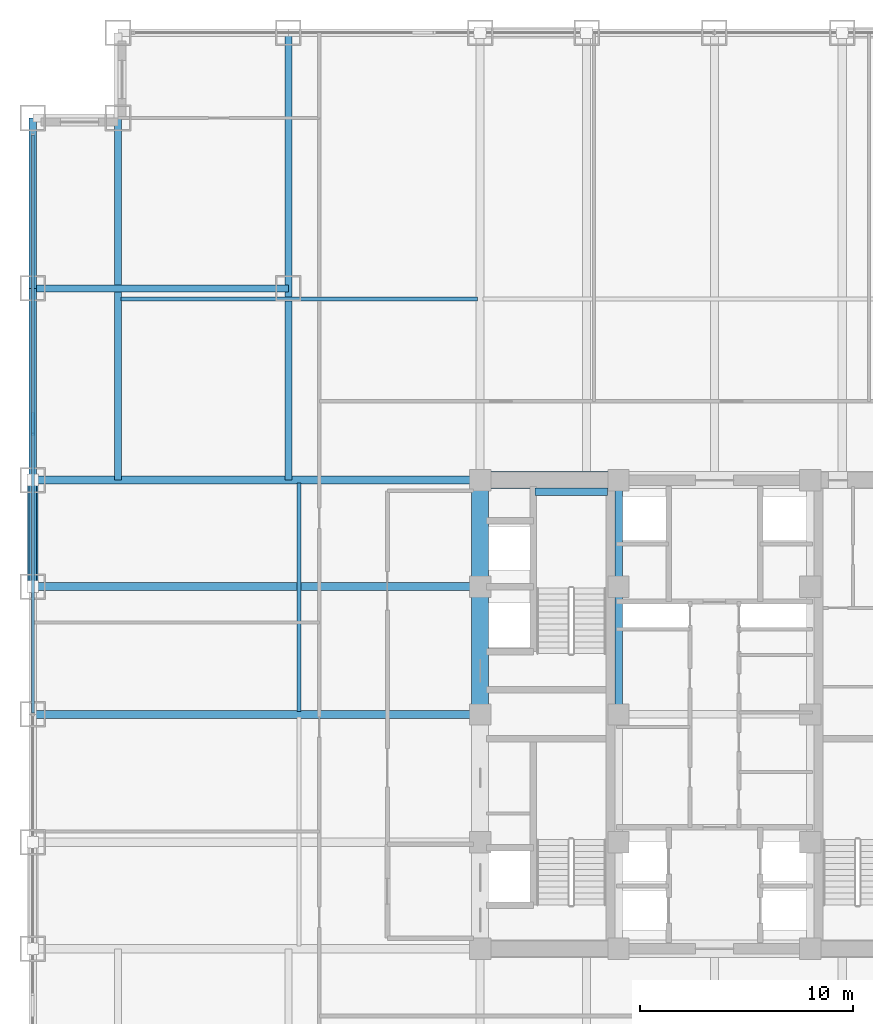
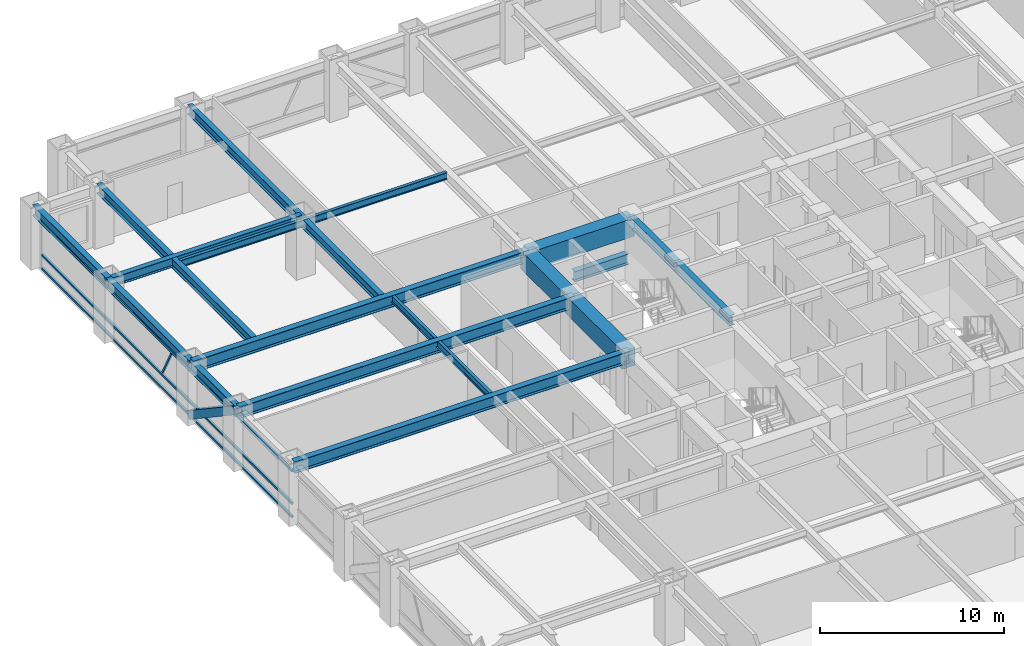
# One storey, part 9 of 28: 17 beams, 5 members, 1 element without a shape of its own.
"""IFC4 building model written with IfcOpenShell, lengths in metres."""

import ifcopenshell
import ifcopenshell.guid

model = None  # the IFC model being written
_history = None  # IfcOwnerHistory: only IFC2X3 demands one
_inside = {}  # id of a spatial element -> (the spatial element, [elements in it])
_under = {}  # id of a project, library or spatial element -> (it, [spatial elements below it])
_declared = {}  # id of a project -> (the project, [libraries it declares])
_typed = {}  # id of a type object -> (the type object, [elements of that type])
_made_of = {}  # id of a material, layer set ... -> (it, [elements and type objects made of it])


def new_model(schema):
    """Start an empty IFC model of exactly this schema.

    Asked for "IFC4X3", IfcOpenShell would pick the latest addendum, in which some entities
    have other attributes; the version numbers below select the first issue.
    IFC2X3 requires an IfcOwnerHistory on every rooted entity: one is made here for all.
    """
    global model, _history
    if schema == "IFC4X3":
        model = ifcopenshell.file(schema_version=(4, 3, 0, 0))
    else:
        model = ifcopenshell.file(schema=schema)
    _inside.clear()
    _under.clear()
    _declared.clear()
    _typed.clear()
    _made_of.clear()
    _history = None
    if model.schema == "IFC2X3":
        org = make("IfcOrganization", Name="unknown")
        user = make(
            "IfcPersonAndOrganization",
            ThePerson=make("IfcPerson", FamilyName="unknown"),
            TheOrganization=org,
        )
        app = make(
            "IfcApplication",
            ApplicationDeveloper=org,
            Version="unknown",
            ApplicationFullName="unknown",
            ApplicationIdentifier="unknown",
        )
        _history = make(
            "IfcOwnerHistory",
            OwningUser=user,
            OwningApplication=app,
            ChangeAction="ADDED",
            CreationDate=0,
        )
    return model


def make(cls, **values):
    """One entity of the class cls with the attributes given. An attribute that is None is left unset."""
    return model.create_entity(
        cls, **{name: value for name, value in values.items() if value is not None}
    )


def rooted(cls, **values):
    """An entity with a GlobalId (a new one), such as an element, a storey or a relation."""
    return make(cls, GlobalId=ifcopenshell.guid.new(), OwnerHistory=_history, **values)


def si_unit(unit_type, name, prefix=None):
    """IfcSIUnit, for example si_unit("LENGTHUNIT", "METRE", prefix="MILLI")."""
    return make("IfcSIUnit", UnitType=unit_type, Prefix=prefix, Name=name)


def assignment(units):
    """IfcUnitAssignment: the units of a project."""
    return None if units is None else make("IfcUnitAssignment", Units=units)


def point(xyz):
    """IfcCartesianPoint."""
    return None if xyz is None else make("IfcCartesianPoint", Coordinates=xyz)


def direction(xyz):
    """IfcDirection."""
    return None if xyz is None else make("IfcDirection", DirectionRatios=xyz)


def frame(location, z_axis=None, x_axis=None):
    """IfcAxis2Placement3D, a coordinate frame: its origin and axes. An axis left out is left unset."""
    return make(
        "IfcAxis2Placement3D",
        Location=point(location),
        Axis=direction(z_axis),
        RefDirection=direction(x_axis),
    )


def frame_2d(location, x_axis=None):
    """IfcAxis2Placement2D, a coordinate frame in the plane: its origin and x axis."""
    return make(
        "IfcAxis2Placement2D", Location=point(location), RefDirection=direction(x_axis)
    )


def origin():
    """The frame at (0, 0, 0) with its axes left unset."""
    return frame((0.0, 0.0, 0.0))


def origin_2d():
    """The frame at (0, 0) in the plane with its x axis left unset."""
    return frame_2d((0.0, 0.0))


def place(relative_to, where):
    """IfcLocalPlacement: puts the frame where relative to a parent placement (None: the world)."""
    return make(
        "IfcLocalPlacement", PlacementRelTo=relative_to, RelativePlacement=where
    )


def context(
    kind, dimensions, precision=None, world=None, true_north=None, identifier=None
):
    """IfcGeometricRepresentationContext, for example the 3D "Model" context."""
    return make(
        "IfcGeometricRepresentationContext",
        ContextIdentifier=identifier,
        ContextType=kind,
        CoordinateSpaceDimension=dimensions,
        Precision=precision,
        WorldCoordinateSystem=world,
        TrueNorth=true_north,
    )


def subcontext(parent, identifier, kind, view, scale=None):
    """IfcGeometricRepresentationSubContext, for example "Body" below "Model"."""
    return make(
        "IfcGeometricRepresentationSubContext",
        ContextIdentifier=identifier,
        ContextType=kind,
        ParentContext=parent,
        TargetScale=scale,
        TargetView=view,
    )


def project(units=None, contexts=None):
    """IfcProject with its units and contexts."""
    return rooted(
        "IfcProject",
        Name="project",
        RepresentationContexts=contexts,
        UnitsInContext=assignment(units),
    )


def spatial(cls, under=None, at=None, **own):
    """A site, building, storey or space (cls), placed at a placement, below another one or the project."""
    s = rooted(cls, ObjectPlacement=at, **own)
    if under is not None:
        _under.setdefault(under.id(), (under, []))[1].append(s)
    return s


def profile(cls, at=None, kind="AREA", **sizes):
    """A parametric profile (cls). Its sizes go by their IFC names, for example OverallWidth=200.0."""
    return make(cls, ProfileType=kind, Position=at, **sizes)


def rectangle(**sizes):
    """IfcRectangleProfileDef."""
    return profile("IfcRectangleProfileDef", **sizes)


def hollow_rectangle(**sizes):
    """IfcRectangleHollowProfileDef."""
    return profile("IfcRectangleHollowProfileDef", **sizes)


def i_section(**sizes):
    """IfcIShapeProfileDef."""
    return profile("IfcIShapeProfileDef", **sizes)


def extrude(swept, where, along, depth):
    """IfcExtrudedAreaSolid: the profile swept, set in the frame where, extruded along a direction by depth."""
    return make(
        "IfcExtrudedAreaSolid",
        SweptArea=swept,
        Position=where,
        ExtrudedDirection=direction(along),
        Depth=depth,
    )


def shape(context_of_items, identifier, shape_type, items):
    """IfcShapeRepresentation: the items that make up one representation, for example the "Body"."""
    return make(
        "IfcShapeRepresentation",
        ContextOfItems=context_of_items,
        RepresentationIdentifier=identifier,
        RepresentationType=shape_type,
        Items=items,
    )


def source(mapping_origin, context_of_items, identifier, shape_type, items):
    """IfcRepresentationMap: a shape defined once, which mapped items show again and again."""
    return make(
        "IfcRepresentationMap",
        MappingOrigin=mapping_origin,
        MappedRepresentation=shape(context_of_items, identifier, shape_type, items),
    )


def transform(
    local_origin,
    x_axis=None,
    y_axis=None,
    z_axis=None,
    scale=None,
    scale2=None,
    scale3=None,
    uniform=True,
):
    """IfcCartesianTransformationOperator3D, or its non-uniform kind. x_axis, y_axis, z_axis: its Axis1, 2, 3."""
    if uniform:
        return make(
            "IfcCartesianTransformationOperator3D",
            Axis1=direction(x_axis),
            Axis2=direction(y_axis),
            LocalOrigin=point(local_origin),
            Scale=scale,
            Axis3=direction(z_axis),
        )
    return make(
        "IfcCartesianTransformationOperator3DnonUniform",
        Axis1=direction(x_axis),
        Axis2=direction(y_axis),
        LocalOrigin=point(local_origin),
        Scale=scale,
        Axis3=direction(z_axis),
        Scale2=scale2,
        Scale3=scale3,
    )


def mapped(mapping_source, mapping_target):
    """IfcMappedItem: shows the shape of a source again, moved by a transform."""
    return make(
        "IfcMappedItem", MappingSource=mapping_source, MappingTarget=mapping_target
    )


def material(Name=None, Category=None):
    """IfcMaterial."""
    return make("IfcMaterial", Name=Name, Category=Category)


def material_profile(
    of_material, cross_section, Name=None, Category=None, Priority=None
):
    """IfcMaterialProfile: a cross section and its material."""
    return make(
        "IfcMaterialProfile",
        Name=Name,
        Material=of_material,
        Profile=cross_section,
        Priority=Priority,
        Category=Category,
    )


def profile_set(profiles, Name=None, composite=None):
    """IfcMaterialProfileSet."""
    return make(
        "IfcMaterialProfileSet",
        Name=Name,
        MaterialProfiles=profiles,
        CompositeProfile=composite,
    )


def made_of(thing, what):
    """Note that an element or type object is made of a material, layer set ...; save() writes the relation."""
    if what is not None:
        _made_of.setdefault(what.id(), (what, []))[1].append(thing)
    return thing


def type_object(cls, material=None, **own):
    """A type object (cls), such as IfcWallType, which elements share."""
    return made_of(rooted(cls, **own), material)


def element(
    cls,
    number,
    at=None,
    inside=None,
    cuts=None,
    type_object=None,
    material=None,
    context=None,
    identifier="Body",
    shape_type=None,
    held_by="IfcProductDefinitionShape",
    body=None,
    shapes=None,
    **own,
):
    """One element of the class cls, such as IfcWall. Its Tag is "e" and its number.

    at: its placement. inside: the storey or other place that contains it. cuts: it is an
    opening in that element (IfcRelVoidsElement). A single representation is given by context,
    identifier, shape_type and body (its items); several are given by shapes. held_by: the class
    of the entity that holds the representations. save() writes the other relations.
    """
    e = rooted(cls, Tag="e%d" % number, ObjectPlacement=at, **own)
    if body is not None:
        shapes = [shape(context, identifier, shape_type, body)]
    if shapes is not None:
        e.Representation = make(held_by, Representations=shapes)
    if inside is not None:
        _inside.setdefault(inside.id(), (inside, []))[1].append(e)
    if cuts is not None:
        rooted(
            "IfcRelVoidsElement", RelatingBuildingElement=cuts, RelatedOpeningElement=e
        )
    if type_object is not None:
        _typed.setdefault(type_object.id(), (type_object, []))[1].append(e)
    return made_of(e, material)


def aggregate(whole, parts):
    """IfcRelAggregates: a whole, such as a stair, and the parts it consists of."""
    return rooted("IfcRelAggregates", RelatingObject=whole, RelatedObjects=parts)


def save(model, path):
    """Write the relations noted so far, then the file.

    IfcRelAggregates (storeys below a building ...), IfcRelContainedInSpatialStructure (elements
    in a storey), IfcRelDefinesByType, IfcRelAssociatesMaterial and IfcRelDeclares: one each for
    every whole, place, type object, material and project.
    """
    for whole, parts in _under.values():
        aggregate(whole, parts)
    for where, things in _inside.values():
        rooted(
            "IfcRelContainedInSpatialStructure",
            RelatedElements=things,
            RelatingStructure=where,
        )
    for kind, things in _typed.values():
        rooted("IfcRelDefinesByType", RelatedObjects=things, RelatingType=kind)
    for what, things in _made_of.values():
        rooted("IfcRelAssociatesMaterial", RelatedObjects=things, RelatingMaterial=what)
    for by, libraries in _declared.values():
        rooted("IfcRelDeclares", RelatingContext=by, RelatedDefinitions=libraries)
    model.write(path)


model = new_model("IFC4")

# Units and contexts
model_context = context("Model", 3, precision=1e-05, world=origin(), true_north=direction((0.0, 1.0)))
body_context = subcontext(model_context, "Body", "Model", "MODEL_VIEW")
ifc_project = project(units=[si_unit("LENGTHUNIT", "METRE"), si_unit("AREAUNIT", "SQUARE_METRE"), si_unit("VOLUMEUNIT", "CUBIC_METRE"), si_unit("PLANEANGLEUNIT", "RADIAN"), si_unit("MASSUNIT", "GRAM", prefix="KILO")], contexts=[model_context])

# Site, building, storey
site_placement = place(None, origin())
site = spatial("IfcSite", under=ifc_project, at=site_placement, CompositionType="ELEMENT")
building_placement = place(site_placement, origin())
building = spatial("IfcBuilding", under=site, at=building_placement, Name="Khorayat Bourse Tower", CompositionType="ELEMENT")
storey_placement = place(building_placement, frame((0.0, 0.0, 124.199951171875)))
storey = spatial("IfcBuildingStorey", under=building, at=storey_placement, Name="L28", CompositionType="ELEMENT", Elevation=124.199951171875)

# Beams
ifc_material_1 = material(Name="Concrete C72/90", Category="concrete")
ifc_material_profile_1 = material_profile(ifc_material_1, rectangle(XDim=0.800048828125, YDim=1.199951171875, at=origin_2d()), Name="RC 800x1200")
ifc_profile_set_1 = profile_set([ifc_material_profile_1], Name="Concrete C72/90")
beam_type_1 = type_object("IfcBeamType", Name="BM-COUP-1200", PredefinedType="BEAM", material=ifc_profile_set_1)
shared_shape_1 = source(origin(), body_context, "Body", "SweptSolid", [
    extrude(rectangle(XDim=0.800048828125, YDim=1.199951171875, at=origin_2d()), origin(), (0.0, 0.0, 1.0), 5.0),
])
beam_1_placement = place(storey_placement, frame((-11.0, 6.0, 3.239990234375), z_axis=(0.0, 1.0, 0.0), x_axis=(-1.0, 0.0, 0.0)))
element("IfcBeam", 1, at=beam_1_placement, inside=storey, type_object=beam_type_1, Name="L28 BM-COUP-1200 BM-L28-CRX-04", PredefinedType="BEAM", context=body_context, shape_type="MappedRepresentation", body=[
    mapped(shared_shape_1, transform((0.0, 0.0, 0.0), scale=1.0)),
])
shared_shape_2 = source(origin(), body_context, "Body", "SweptSolid", [
    extrude(rectangle(XDim=0.800048828125, YDim=1.199951171875, at=origin_2d()), origin(), (0.0, 0.0, 1.0), 6.0),
])
beam_2_placement = place(storey_placement, frame((-11.0, 0.0, 3.239990234375), z_axis=(0.0, 1.0, 0.0), x_axis=(-1.0, 0.0, 0.0)))
element("IfcBeam", 2, at=beam_2_placement, inside=storey, type_object=beam_type_1, Name="L28 BM-COUP-1200 BM-L28-CRX-03", PredefinedType="BEAM", context=body_context, shape_type="MappedRepresentation", body=[
    mapped(shared_shape_2, transform((0.0, 0.0, 0.0), scale=1.0)),
])
ifc_material_2 = material(Name="Steel ASTM A992 Grade 50", Category="steel")
ifc_material_profile_2 = material_profile(ifc_material_2, i_section(OverallWidth=0.35498046875, OverallDepth=0.695068359375, WebThickness=0.015380859375, FlangeThickness=0.02490234375, FilletRadius=0.01806640625, at=origin_2d()), Name="W690X217")
ifc_profile_set_2 = profile_set([ifc_material_profile_2], Name="Steel ASTM A992 Grade 50")
beam_type_2 = type_object("IfcBeamType", Name="BM-GIRD-690", PredefinedType="BEAM", material=ifc_profile_set_2)
shared_shape_3 = source(origin(), body_context, "Body", "SweptSolid", [
    extrude(i_section(OverallWidth=0.35498046875, OverallDepth=0.695068359375, WebThickness=0.015380859375, FlangeThickness=0.02490234375, FilletRadius=0.01806640625, at=origin_2d()), origin(), (0.0, 0.0, 1.0), 5.0),
])
beam_3_placement = place(storey_placement, frame((-4.5, 6.0, 3.492431640625), z_axis=(0.0, 1.0, 0.0), x_axis=(-1.0, 0.0, 0.0)))
element("IfcBeam", 3, at=beam_3_placement, inside=storey, type_object=beam_type_2, Name="L28 BM-GIRD-690 BM-L28-CRX-08", PredefinedType="BEAM", context=body_context, shape_type="MappedRepresentation", body=[
    mapped(shared_shape_3, transform((0.0, 0.0, 0.0), scale=1.0)),
])
shared_shape_4 = source(origin(), body_context, "Body", "SweptSolid", [
    extrude(i_section(OverallWidth=0.35498046875, OverallDepth=0.695068359375, WebThickness=0.015380859375, FlangeThickness=0.02490234375, FilletRadius=0.01806640625, at=origin_2d()), origin(), (0.0, 0.0, 1.0), 6.0),
])
beam_4_placement = place(storey_placement, frame((-4.5, 0.0, 3.492431640625), z_axis=(0.0, 1.0, 0.0), x_axis=(-1.0, 0.0, 0.0)))
element("IfcBeam", 4, at=beam_4_placement, inside=storey, type_object=beam_type_2, Name="L28 BM-GIRD-690 BM-L28-CRX-07", PredefinedType="BEAM", context=body_context, shape_type="MappedRepresentation", body=[
    mapped(shared_shape_4, transform((0.0, 0.0, 0.0), scale=1.0)),
])
shared_shape_5 = source(origin(), body_context, "Body", "SweptSolid", [
    extrude(rectangle(XDim=0.800048828125, YDim=1.199951171875, at=origin_2d()), origin(), (0.0, 0.0, 1.0), 6.5),
])
beam_5_placement = place(storey_placement, frame((-11.0, 11.0, 3.239990234375), z_axis=(1.0, 0.0, 0.0), x_axis=(0.0, 1.0, 0.0)))
element("IfcBeam", 5, at=beam_5_placement, inside=storey, type_object=beam_type_1, Name="L28 BM-COUP-1200 BM-L28-CRY-20", PredefinedType="BEAM", context=body_context, shape_type="MappedRepresentation", body=[
    mapped(shared_shape_5, transform((0.0, 0.0, 0.0), scale=1.0)),
])
shared_shape_6 = source(origin(), body_context, "Body", "SweptSolid", [
    extrude(i_section(OverallWidth=0.35498046875, OverallDepth=0.695068359375, WebThickness=0.015380859375, FlangeThickness=0.02490234375, FilletRadius=0.01806640625, at=origin_2d()), origin(), (0.0, 0.0, 1.0), 3.39990234375),
])
beam_6_placement = place(storey_placement, frame((-8.419921875, 10.449951171875, 1.50244140625), z_axis=(1.0, 0.0, 0.0), x_axis=(0.0, 1.0, 0.0)))
element("IfcBeam", 6, at=beam_6_placement, inside=storey, type_object=beam_type_2, Name="L28 BM-GIRD-690 BM-L28-ST2L", PredefinedType="BEAM", context=body_context, shape_type="MappedRepresentation", body=[
    mapped(shared_shape_6, transform((0.0, 0.0, 0.0), scale=1.0)),
])
ifc_material_profile_3 = material_profile(ifc_material_2, i_section(OverallWidth=0.35498046875, OverallDepth=0.695068359375, WebThickness=0.015380859375, FlangeThickness=0.02490234375, FilletRadius=0.01806640625, at=origin_2d()), Name="W690X217")
ifc_profile_set_3 = profile_set([ifc_material_profile_3], Name="Steel ASTM A992 Grade 50")
beam_type_3 = type_object("IfcBeamType", Name="BM-SPAN-690", PredefinedType="SPANDREL", material=ifc_profile_set_3)
shared_shape_7 = source(origin(), body_context, "Body", "SweptSolid", [
    extrude(i_section(OverallWidth=0.35498046875, OverallDepth=0.695068359375, WebThickness=0.015380859375, FlangeThickness=0.02490234375, FilletRadius=0.01806640625, at=origin_2d()), origin(), (0.0, 0.0, 1.0), 9.0),
])
beam_7_placement = place(storey_placement, frame((-32.0, 11.0, 3.492431640625), z_axis=(0.0, 1.0, 0.0), x_axis=(-1.0, 0.0, 0.0)))
element("IfcBeam", 7, at=beam_7_placement, inside=storey, type_object=beam_type_3, Name="L28 BM-SPAN-690 BM-L28-SPN-055", PredefinedType="SPANDREL", context=body_context, shape_type="MappedRepresentation", body=[
    mapped(shared_shape_7, transform((0.0, 0.0, 0.0), scale=1.0)),
])
shared_shape_8 = source(origin(), body_context, "Body", "SweptSolid", [
    extrude(i_section(OverallWidth=0.35498046875, OverallDepth=0.695068359375, WebThickness=0.015380859375, FlangeThickness=0.02490234375, FilletRadius=0.01806640625, at=origin_2d()), origin(), (0.0, 0.0, 1.0), 5.0),
])
beam_8_placement = place(storey_placement, frame((-32.0, 6.0, 3.492431640625), z_axis=(0.0, 1.0, 0.0), x_axis=(-1.0, 0.0, 0.0)))
element("IfcBeam", 8, at=beam_8_placement, inside=storey, type_object=beam_type_3, Name="L28 BM-SPAN-690 BM-L28-SPN-056", PredefinedType="SPANDREL", context=body_context, shape_type="MappedRepresentation", body=[
    mapped(shared_shape_8, transform((0.0, 0.0, 0.0), scale=1.0)),
])
ifc_material_profile_4 = material_profile(ifc_material_2, i_section(OverallWidth=0.324951171875, OverallDepth=0.615966796875, WebThickness=0.013916015625, FlangeThickness=0.021484375, FilletRadius=0.01611328125, at=origin_2d()), Name="W610X174")
ifc_profile_set_4 = profile_set([ifc_material_profile_4], Name="Steel ASTM A992 Grade 50")
beam_type_4 = type_object("IfcBeamType", Name="BM-GIRD-610", PredefinedType="BEAM", material=ifc_profile_set_4)
shared_shape_9 = source(origin(), body_context, "Body", "SweptSolid", [
    extrude(i_section(OverallWidth=0.324951171875, OverallDepth=0.615966796875, WebThickness=0.013916015625, FlangeThickness=0.021484375, FilletRadius=0.01611328125, at=origin_2d()), origin(), (0.0, 0.0, 1.0), 21.0),
])
beam_9_placement = place(storey_placement, frame((-20.0, 11.0, 3.531982421875), z_axis=(0.0, 1.0, 0.0), x_axis=(-1.0, 0.0, 0.0)))
element("IfcBeam", 9, at=beam_9_placement, inside=storey, type_object=beam_type_4, Name="L28 BM-GIRD-610 BM-L28-CNRY-085", PredefinedType="BEAM", context=body_context, shape_type="MappedRepresentation", body=[
    mapped(shared_shape_9, transform((0.0, 0.0, 0.0), scale=1.0)),
])
shared_shape_10 = source(origin(), body_context, "Body", "SweptSolid", [
    extrude(i_section(OverallWidth=0.324951171875, OverallDepth=0.615966796875, WebThickness=0.013916015625, FlangeThickness=0.021484375, FilletRadius=0.01611328125, at=origin_2d()), origin(), (0.0, 0.0, 1.0), 12.0),
])
beam_10_placement = place(storey_placement, frame((-32.0, 20.0, 3.531982421875), z_axis=(1.0, 0.0, 0.0), x_axis=(0.0, 1.0, 0.0)))
element("IfcBeam", 10, at=beam_10_placement, inside=storey, type_object=beam_type_4, Name="L28 BM-GIRD-610 BM-L28-CNRX-095", PredefinedType="BEAM", context=body_context, shape_type="MappedRepresentation", body=[
    mapped(shared_shape_10, transform((0.0, 0.0, 0.0), scale=1.0)),
])
ifc_material_profile_5 = material_profile(ifc_material_2, i_section(OverallWidth=0.194091796875, OverallDepth=0.468994140625, WebThickness=0.0126953125, FlangeThickness=0.0205078125, FilletRadius=0.012939453125, at=origin_2d()), Name="W460X106")
ifc_profile_set_5 = profile_set([ifc_material_profile_5], Name="Steel ASTM A992 Grade 50")
beam_type_5 = type_object("IfcBeamType", Name="BM-JOIST-460", PredefinedType="JOIST", material=ifc_profile_set_5)
shared_shape_11 = source(origin(), body_context, "Body", "SweptSolid", [
    extrude(i_section(OverallWidth=0.194091796875, OverallDepth=0.468994140625, WebThickness=0.0126953125, FlangeThickness=0.0205078125, FilletRadius=0.012939453125, at=origin_2d()), origin(), (0.0, 0.0, 1.0), 10.740234375),
])
beam_11_placement = place(storey_placement, frame((-19.5, 0.1298828125, 3.60546875), z_axis=(0.0, 1.0, 0.0), x_axis=(-1.0, 0.0, 0.0)))
element("IfcBeam", 11, at=beam_11_placement, inside=storey, type_object=beam_type_5, Name="L28 BM-JOIST-460 BM-L28-JSTY-103", PredefinedType="JOIST", context=body_context, shape_type="MappedRepresentation", body=[
    mapped(shared_shape_11, transform((0.0, 0.0, 0.0), scale=1.0)),
])
shared_shape_12 = source(origin(), body_context, "Body", "SweptSolid", [
    extrude(i_section(OverallWidth=0.35498046875, OverallDepth=0.695068359375, WebThickness=0.015380859375, FlangeThickness=0.02490234375, FilletRadius=0.01806640625, at=origin_2d()), origin(), (0.0, 0.0, 1.0), 8.0),
])
beam_12_placement = place(storey_placement, frame((-32.0, 20.0, 3.492431640625), z_axis=(0.0, 1.0, 0.0), x_axis=(-1.0, 0.0, 0.0)))
element("IfcBeam", 12, at=beam_12_placement, inside=storey, type_object=beam_type_3, Name="L28 BM-SPAN-690 BM-L28-SPN-054", PredefinedType="SPANDREL", context=body_context, shape_type="MappedRepresentation", body=[
    mapped(shared_shape_12, transform((0.0, 0.0, 0.0), scale=1.0)),
])
ifc_material_profile_6 = material_profile(ifc_material_2, i_section(OverallWidth=0.381103515625, OverallDepth=0.77294921875, WebThickness=0.0166015625, FlangeThickness=0.027587890625, FilletRadius=0.01806640625, at=origin_2d()), Name="W760X257")
ifc_profile_set_6 = profile_set([ifc_material_profile_6], Name="Steel ASTM A992 Grade 50")
beam_type_6 = type_object("IfcBeamType", Name="BM-GIRD-760", PredefinedType="BEAM", material=ifc_profile_set_6)
shared_shape_13 = source(origin(), body_context, "Body", "SweptSolid", [
    extrude(i_section(OverallWidth=0.381103515625, OverallDepth=0.77294921875, WebThickness=0.0166015625, FlangeThickness=0.027587890625, FilletRadius=0.01806640625, at=origin_2d()), origin(), (0.0, 0.0, 1.0), 21.0),
])
for number, where, z_axis, x_axis, name in (
    (13, (-32.0, 0.0, 3.45361328125), (1.0, 0.0, 0.0), (0.0, 1.0, 0.0), "L28 BM-GIRD-760 BM-L28-RADX-079"),
    (14, (-32.0, 6.0, 3.45361328125), (1.0, 0.0, 0.0), (0.0, 1.0, 0.0), "L28 BM-GIRD-760 BM-L28-RADX-081"),
    (15, (-32.0, 11.0, 3.45361328125), (1.0, 0.0, 0.0), (0.0, 1.0, 0.0), "L28 BM-GIRD-760 BM-L28-RADX-083"),
):
    element("IfcBeam", number, at=place(storey_placement, frame(where, z_axis=z_axis, x_axis=x_axis)), inside=storey, type_object=beam_type_6, Name=name, PredefinedType="BEAM", context=body_context, shape_type="MappedRepresentation", body=[
        mapped(shared_shape_13, transform((0.0, 0.0, 0.0), scale=1.0)),
    ])
shared_shape_14 = source(origin(), body_context, "Body", "SweptSolid", [
    extrude(i_section(OverallWidth=0.324951171875, OverallDepth=0.615966796875, WebThickness=0.013916015625, FlangeThickness=0.021484375, FilletRadius=0.01611328125, at=origin_2d()), origin(), (0.0, 0.0, 1.0), 17.0),
])
beam_13_placement = place(storey_placement, frame((-28.0, 11.0, 3.531982421875), z_axis=(0.0, 1.0, 0.0), x_axis=(-1.0, 0.0, 0.0)))
element("IfcBeam", 16, at=beam_13_placement, inside=storey, type_object=beam_type_4, Name="L28 BM-GIRD-610 BM-L28-CNRY-089", PredefinedType="BEAM", context=body_context, shape_type="MappedRepresentation", body=[
    mapped(shared_shape_14, transform((0.0, 0.0, 0.0), scale=1.0)),
])
shared_shape_15 = source(origin(), body_context, "Body", "SweptSolid", [
    extrude(i_section(OverallWidth=0.194091796875, OverallDepth=0.468994140625, WebThickness=0.0126953125, FlangeThickness=0.0205078125, FilletRadius=0.012939453125, at=origin_2d()), origin(), (0.0, 0.0, 1.0), 16.740234375),
])
beam_14_placement = place(storey_placement, frame((-27.8701171875, 19.5, 3.60546875), z_axis=(1.0, 0.0, 0.0), x_axis=(0.0, 1.0, 0.0)))
element("IfcBeam", 17, at=beam_14_placement, inside=storey, type_object=beam_type_5, Name="L28 BM-JOIST-460 BM-L28-JSTX-099", PredefinedType="JOIST", context=body_context, shape_type="MappedRepresentation", body=[
    mapped(shared_shape_15, transform((0.0, 0.0, 0.0), scale=1.0)),
])

# Member
ifc_material_3 = material(Name="Steel EN 10025-4 S460M", Category="steel")
ifc_material_profile_7 = material_profile(ifc_material_3, hollow_rectangle(XDim=0.5, YDim=0.5, WallThickness=0.028076171875, at=origin_2d()), Name="HSS 500x500x28")
ifc_profile_set_7 = profile_set([ifc_material_profile_7], Name="Steel EN 10025-4 S460M")
member_type_1 = type_object("IfcMemberType", Name="MBR-TUBE-500", PredefinedType="BRACE", material=ifc_profile_set_7)
shared_shape_16 = source(origin(), body_context, "Body", "SweptSolid", [
    extrude(hollow_rectangle(XDim=0.5, YDim=0.5, WallThickness=0.028076171875, at=origin_2d()), origin(), (0.0, 0.0, 1.0), 6.012939453125),
])
member_1_placement = place(storey_placement, frame((-32.0, 6.0, 3.590087890625), z_axis=(0.0, 0.831531473026, -0.555477640745), x_axis=(-1.0, 0.0, 0.0)))
element("IfcMember", 18, at=member_1_placement, inside=storey, type_object=member_type_1, Name="L28 Perimeter Tube Brace 06", PredefinedType="BRACE", context=body_context, shape_type="MappedRepresentation", body=[
    mapped(shared_shape_16, transform((0.0, 0.0, 0.0), scale=1.0)),
])

# Curtain wall, members
ifc_material_4 = material(Name="Aluminium EN AW-6063 T6", Category="aluminium")
curtain_wall_type = type_object("IfcCurtainWallType", Name="CW-SYS-02", PredefinedType="NOTDEFINED", material=ifc_material_4)
curtain_wall_placement = place(storey_placement, origin())
curtain_wall = element("IfcCurtainWall", 19, at=curtain_wall_placement, inside=storey, type_object=curtain_wall_type, Name="L28 Curtain Wall CW-L28-W1", PredefinedType="NOTDEFINED")
ifc_material_profile_8 = material_profile(ifc_material_4, hollow_rectangle(XDim=0.139892578125, YDim=0.139892578125, WallThickness=0.006103515625, at=origin_2d()), Name="ALU 140x140x6")
ifc_profile_set_8 = profile_set([ifc_material_profile_8], Name="Aluminium EN AW-6063 T6")
member_type_2 = type_object("IfcMemberType", Name="CWT-HORZ-140", PredefinedType="USERDEFINED", material=ifc_profile_set_8)
shared_shape_17 = source(origin(), body_context, "Body", "SweptSolid", [
    extrude(hollow_rectangle(XDim=0.139892578125, YDim=0.139892578125, WallThickness=0.006103515625, at=origin_2d()), origin(), (0.0, 0.0, 1.0), 27.139892578125),
])
member_2_placement = place(storey_placement, frame((-32.0, 0.070068359375, 0.070068359375), z_axis=(0.0, 1.0, 0.0), x_axis=(-1.0, 0.0, 0.0)))
member_2 = element("IfcMember", 20, at=member_2_placement, type_object=member_type_2, Name="CW-L28-W1 Horizontal Transom 2-1", ObjectType="TRANSOM", PredefinedType="USERDEFINED", context=body_context, shape_type="MappedRepresentation", body=[
    mapped(shared_shape_17, transform((0.0, 0.0, 0.0), scale=1.0)),
])
member_3_placement = place(storey_placement, frame((-32.0, 0.070068359375, 0.949951171875), z_axis=(0.0, 1.0, 0.0), x_axis=(-1.0, 0.0, 0.0)))
member_3 = element("IfcMember", 21, at=member_3_placement, type_object=member_type_2, Name="CW-L28-W1 Horizontal Transom 2-2", ObjectType="TRANSOM", PredefinedType="USERDEFINED", context=body_context, shape_type="MappedRepresentation", body=[
    mapped(shared_shape_17, transform((0.0, 0.0, 0.0), scale=1.0)),
])
member_4_placement = place(storey_placement, frame((-32.0, 0.070068359375, 3.1201171875), z_axis=(0.0, 1.0, 0.0), x_axis=(-1.0, 0.0, 0.0)))
member_4 = element("IfcMember", 22, at=member_4_placement, type_object=member_type_2, Name="CW-L28-W1 Horizontal Transom 2-3", ObjectType="TRANSOM", PredefinedType="USERDEFINED", context=body_context, shape_type="MappedRepresentation", body=[
    mapped(shared_shape_17, transform((0.0, 0.0, 0.0), scale=1.0)),
])
ifc_material_profile_9 = material_profile(ifc_material_4, hollow_rectangle(XDim=0.1201171875, YDim=0.1201171875, WallThickness=0.0048828125, at=origin_2d()), Name="ALU 120x120x5")
ifc_profile_set_9 = profile_set([ifc_material_profile_9], Name="Aluminium EN AW-6063 T6")
member_type_3 = type_object("IfcMemberType", Name="CWM-DIAG-120", PredefinedType="MULLION", material=ifc_profile_set_9)
shared_shape_18 = source(origin(), body_context, "Body", "SweptSolid", [
    extrude(hollow_rectangle(XDim=0.1201171875, YDim=0.1201171875, WallThickness=0.0048828125, at=origin_2d()), origin(), (0.0, 0.0, 1.0), 2.113037109375),
])
member_5_placement = place(storey_placement, frame((-32.0, 14.132080078125, 1.10009765625), z_axis=(0.0, -0.465741670874, 0.884920728659), x_axis=(1.0, 0.0, 0.0)))
member_5 = element("IfcMember", 23, at=member_5_placement, type_object=member_type_3, Name="CW-L28-W1 Faceted Diagonal Mullion 2", PredefinedType="MULLION", context=body_context, shape_type="MappedRepresentation", body=[
    mapped(shared_shape_18, transform((0.0, 0.0, 0.0), scale=1.0)),
])
aggregate(curtain_wall, [member_2, member_3, member_4, member_5])

save(model, "model.ifc")
